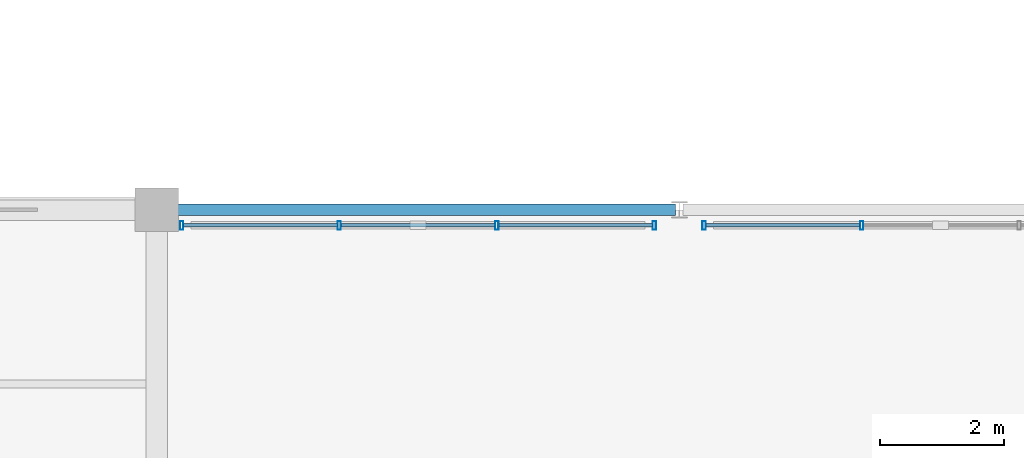
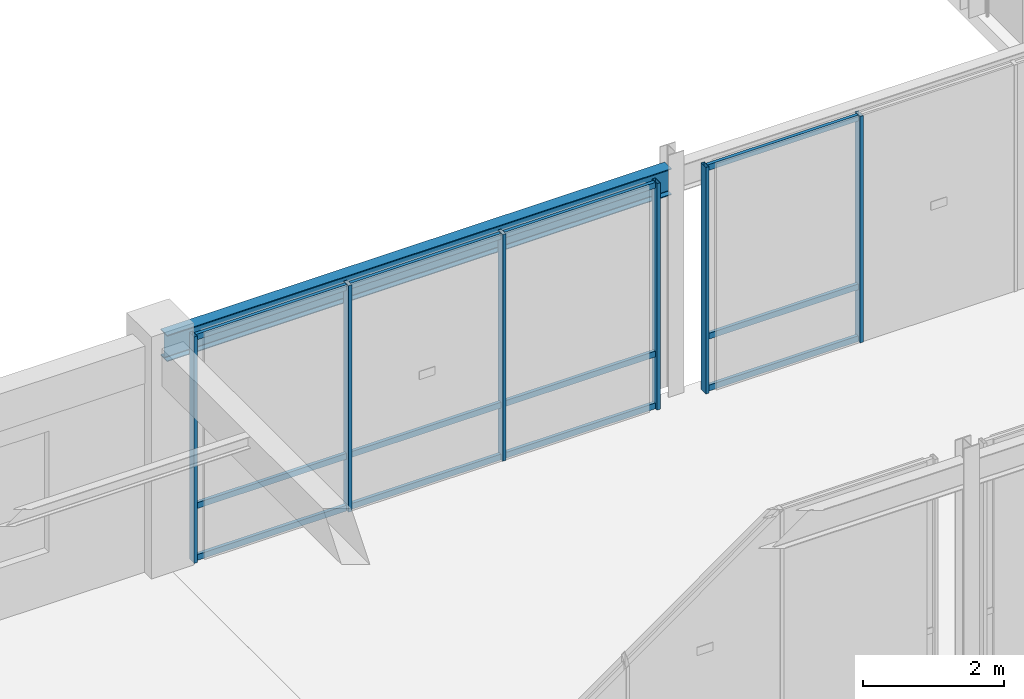
# One storey, part 27 of 152: 18 members, 1 beam, 2 elements without a shape of their own.
"""IFC4 building model written with IfcOpenShell, lengths in metres."""

from ifc_helpers import new_model, si_unit, direction, frame, origin, origin_2d, place, context, subcontext, project, spatial, hollow_rectangle, i_section, extrude, material, material_profile, profile_set, type_object, element, aggregate, save


model = new_model("IFC4")

# Units and contexts
model_context = context("Model", 3, precision=1e-05, world=origin(), true_north=direction((0.0, 1.0)))
body_context = subcontext(model_context, "Body", "Model", "MODEL_VIEW")
ifc_project = project(units=[si_unit("LENGTHUNIT", "METRE"), si_unit("AREAUNIT", "SQUARE_METRE"), si_unit("VOLUMEUNIT", "CUBIC_METRE"), si_unit("PLANEANGLEUNIT", "RADIAN"), si_unit("MASSUNIT", "GRAM", prefix="KILO"), si_unit("THERMODYNAMICTEMPERATUREUNIT", "KELVIN"), si_unit("POWERUNIT", "WATT")], contexts=[model_context])

# Site, building, storey
site_placement = place(None, origin())
site = spatial("IfcSite", under=ifc_project, at=site_placement, CompositionType="ELEMENT")
building_placement = place(site_placement, origin())
building = spatial("IfcBuilding", under=site, at=building_placement, Name="Darbajah Civic Hall", CompositionType="ELEMENT")
storey_placement = place(building_placement, frame((0.0, 0.0, 5.39990234375)))
storey = spatial("IfcBuildingStorey", under=building, at=storey_placement, Name="L01", CompositionType="ELEMENT", Elevation=5.39990234375)

# Curtain wall, members
ifc_material_1 = material(Name="Anodised Bronze Aluminium and Low-E Glazing", Category="aluminium")
curtain_wall_type = type_object("IfcCurtainWallType", Name="Unitised Curtain Wall CW-103 7600x3950", PredefinedType="USERDEFINED", material=ifc_material_1)
curtain_wall_1_placement = place(storey_placement, origin())
curtain_wall_1 = element("IfcCurtainWall", 1, at=curtain_wall_1_placement, inside=storey, type_object=curtain_wall_type, Name="L01 unitised curtain wall CW-V6-SW-N-L01", ObjectType="UNITISED CURTAIN WALL", PredefinedType="USERDEFINED")
ifc_material_2 = material(Name="Anodised Bronze Aluminium", Category="aluminium")
ifc_material_profile_1 = material_profile(ifc_material_2, hollow_rectangle(XDim=0.054931640625, YDim=0.139892578125, WallThickness=0.003173828125, at=origin_2d()), Name="ALU MULLION 55x140")
ifc_profile_set_1 = profile_set([ifc_material_profile_1], Name="Anodised Bronze Aluminium")
member_type_1 = type_object("IfcMemberType", Name="ALU MULLION 55x140", PredefinedType="MULLION", material=ifc_profile_set_1)
member_1_placement = place(storey_placement, frame((67.60009765625, 41.75, 0.0), z_axis=(0.0, 0.0, 1.0), x_axis=(1.0, 0.0, 0.0)))
member_1 = element("IfcMember", 2, at=member_1_placement, type_object=member_type_1, Name="CW-V6-SW-N-L01 mullion 1", PredefinedType="MULLION", context=body_context, shape_type="SweptSolid", body=[
    extrude(hollow_rectangle(XDim=0.054931640625, YDim=0.139892578125, WallThickness=0.003173828125, at=origin_2d()), origin(), (0.0, 0.0, 1.0), 3.93017578125),
])
member_2_placement = place(storey_placement, frame((70.13330078125, 41.75, 0.0), z_axis=(0.0, 0.0, 1.0), x_axis=(1.0, 0.0, 0.0)))
member_2 = element("IfcMember", 3, at=member_2_placement, type_object=member_type_1, Name="CW-V6-SW-N-L01 mullion 2", PredefinedType="MULLION", context=body_context, shape_type="SweptSolid", body=[
    extrude(hollow_rectangle(XDim=0.054931640625, YDim=0.139892578125, WallThickness=0.003173828125, at=origin_2d()), origin(), (0.0, 0.0, 1.0), 3.93017578125),
])
member_3_placement = place(storey_placement, frame((72.666748046875, 41.75, 0.0), z_axis=(0.0, 0.0, 1.0), x_axis=(1.0, 0.0, 0.0)))
member_3 = element("IfcMember", 4, at=member_3_placement, type_object=member_type_1, Name="CW-V6-SW-N-L01 mullion 3", PredefinedType="MULLION", context=body_context, shape_type="SweptSolid", body=[
    extrude(hollow_rectangle(XDim=0.054931640625, YDim=0.139892578125, WallThickness=0.003173828125, at=origin_2d()), origin(), (0.0, 0.0, 1.0), 3.93017578125),
])
member_4_placement = place(storey_placement, frame((75.199951171875, 41.75, 0.0), z_axis=(0.0, 0.0, 1.0), x_axis=(1.0, 0.0, 0.0)))
member_4 = element("IfcMember", 5, at=member_4_placement, type_object=member_type_1, Name="CW-V6-SW-N-L01 mullion 4", PredefinedType="MULLION", context=body_context, shape_type="SweptSolid", body=[
    extrude(hollow_rectangle(XDim=0.054931640625, YDim=0.139892578125, WallThickness=0.003173828125, at=origin_2d()), origin(), (0.0, 0.0, 1.0), 3.93017578125),
])

curtain_wall_2_placement = place(storey_placement, origin())
curtain_wall_2 = element("IfcCurtainWall", 6, at=curtain_wall_2_placement, inside=storey, type_object=curtain_wall_type, Name="L01 unitised curtain wall CW-V6-SW-N2-L01", ObjectType="UNITISED CURTAIN WALL", PredefinedType="USERDEFINED")
member_5_placement = place(storey_placement, frame((76.0, 41.75, 0.0), z_axis=(0.0, 0.0, 1.0), x_axis=(1.0, 0.0, 0.0)))
member_5 = element("IfcMember", 7, at=member_5_placement, type_object=member_type_1, Name="CW-V6-SW-N2-L01 mullion 1", PredefinedType="MULLION", context=body_context, shape_type="SweptSolid", body=[
    extrude(hollow_rectangle(XDim=0.054931640625, YDim=0.139892578125, WallThickness=0.003173828125, at=origin_2d()), origin(), (0.0, 0.0, 1.0), 3.93017578125),
])
member_6_placement = place(storey_placement, frame((78.533203125, 41.75, 0.0), z_axis=(0.0, 0.0, 1.0), x_axis=(1.0, 0.0, 0.0)))
member_6 = element("IfcMember", 8, at=member_6_placement, type_object=member_type_1, Name="CW-V6-SW-N2-L01 mullion 2", PredefinedType="MULLION", context=body_context, shape_type="SweptSolid", body=[
    extrude(hollow_rectangle(XDim=0.054931640625, YDim=0.139892578125, WallThickness=0.003173828125, at=origin_2d()), origin(), (0.0, 0.0, 1.0), 3.93017578125),
])

# Member
ifc_material_profile_2 = material_profile(ifc_material_2, hollow_rectangle(XDim=0.054931640625, YDim=0.10009765625, WallThickness=0.0029296875, at=origin_2d()), Name="ALU TRANSOM 55x100")
ifc_profile_set_2 = profile_set([ifc_material_profile_2], Name="Anodised Bronze Aluminium")
member_type_2 = type_object("IfcMemberType", Name="ALU TRANSOM 55x100", PredefinedType="USERDEFINED", material=ifc_profile_set_2)
member_7_placement = place(storey_placement, frame((67.632568359375, 41.75, 0.050048828125), z_axis=(1.0, 0.0, 0.0), x_axis=(0.0, 1.0, 0.0)))
member_7 = element("IfcMember", 9, at=member_7_placement, type_object=member_type_2, Name="CW-V6-SW-N-L01 transom 1.1", ObjectType="TRANSOM", PredefinedType="USERDEFINED", context=body_context, shape_type="SweptSolid", body=[
    extrude(hollow_rectangle(XDim=0.054931640625, YDim=0.10009765625, WallThickness=0.0029296875, at=origin_2d()), origin(), (0.0, 0.0, 1.0), 2.46826171875),
])

member_8_placement = place(storey_placement, frame((67.632568359375, 41.75, 0.9501953125), z_axis=(1.0, 0.0, 0.0), x_axis=(0.0, 1.0, 0.0)))
member_8 = element("IfcMember", 10, at=member_8_placement, type_object=member_type_2, Name="CW-V6-SW-N-L01 transom 1.2", ObjectType="TRANSOM", PredefinedType="USERDEFINED", context=body_context, shape_type="SweptSolid", body=[
    extrude(hollow_rectangle(XDim=0.054931640625, YDim=0.10009765625, WallThickness=0.0029296875, at=origin_2d()), origin(), (0.0, 0.0, 1.0), 2.46826171875),
])

member_9_placement = place(storey_placement, frame((67.632568359375, 41.75, 3.880126953125), z_axis=(1.0, 0.0, 0.0), x_axis=(0.0, 1.0, 0.0)))
member_9 = element("IfcMember", 11, at=member_9_placement, type_object=member_type_2, Name="CW-V6-SW-N-L01 transom 1.3", ObjectType="TRANSOM", PredefinedType="USERDEFINED", context=body_context, shape_type="SweptSolid", body=[
    extrude(hollow_rectangle(XDim=0.054931640625, YDim=0.10009765625, WallThickness=0.0029296875, at=origin_2d()), origin(), (0.0, 0.0, 1.0), 2.46826171875),
])

member_10_placement = place(storey_placement, frame((70.165771484375, 41.75, 0.050048828125), z_axis=(1.0, 0.0, 0.0), x_axis=(0.0, 1.0, 0.0)))
member_10 = element("IfcMember", 12, at=member_10_placement, type_object=member_type_2, Name="CW-V6-SW-N-L01 transom 2.1", ObjectType="TRANSOM", PredefinedType="USERDEFINED", context=body_context, shape_type="SweptSolid", body=[
    extrude(hollow_rectangle(XDim=0.054931640625, YDim=0.10009765625, WallThickness=0.0029296875, at=origin_2d()), origin(), (0.0, 0.0, 1.0), 2.468505859375),
])

member_11_placement = place(storey_placement, frame((70.165771484375, 41.75, 0.9501953125), z_axis=(1.0, 0.0, 0.0), x_axis=(0.0, 1.0, 0.0)))
member_11 = element("IfcMember", 13, at=member_11_placement, type_object=member_type_2, Name="CW-V6-SW-N-L01 transom 2.2", ObjectType="TRANSOM", PredefinedType="USERDEFINED", context=body_context, shape_type="SweptSolid", body=[
    extrude(hollow_rectangle(XDim=0.054931640625, YDim=0.10009765625, WallThickness=0.0029296875, at=origin_2d()), origin(), (0.0, 0.0, 1.0), 2.468505859375),
])

member_12_placement = place(storey_placement, frame((70.165771484375, 41.75, 3.880126953125), z_axis=(1.0, 0.0, 0.0), x_axis=(0.0, 1.0, 0.0)))
member_12 = element("IfcMember", 14, at=member_12_placement, type_object=member_type_2, Name="CW-V6-SW-N-L01 transom 2.3", ObjectType="TRANSOM", PredefinedType="USERDEFINED", context=body_context, shape_type="SweptSolid", body=[
    extrude(hollow_rectangle(XDim=0.054931640625, YDim=0.10009765625, WallThickness=0.0029296875, at=origin_2d()), origin(), (0.0, 0.0, 1.0), 2.468505859375),
])

member_13_placement = place(storey_placement, frame((72.69921875, 41.75, 0.050048828125), z_axis=(1.0, 0.0, 0.0), x_axis=(0.0, 1.0, 0.0)))
member_13 = element("IfcMember", 15, at=member_13_placement, type_object=member_type_2, Name="CW-V6-SW-N-L01 transom 3.1", ObjectType="TRANSOM", PredefinedType="USERDEFINED", context=body_context, shape_type="SweptSolid", body=[
    extrude(hollow_rectangle(XDim=0.054931640625, YDim=0.10009765625, WallThickness=0.0029296875, at=origin_2d()), origin(), (0.0, 0.0, 1.0), 2.46826171875),
])

member_14_placement = place(storey_placement, frame((72.69921875, 41.75, 0.9501953125), z_axis=(1.0, 0.0, 0.0), x_axis=(0.0, 1.0, 0.0)))
member_14 = element("IfcMember", 16, at=member_14_placement, type_object=member_type_2, Name="CW-V6-SW-N-L01 transom 3.2", ObjectType="TRANSOM", PredefinedType="USERDEFINED", context=body_context, shape_type="SweptSolid", body=[
    extrude(hollow_rectangle(XDim=0.054931640625, YDim=0.10009765625, WallThickness=0.0029296875, at=origin_2d()), origin(), (0.0, 0.0, 1.0), 2.46826171875),
])

member_15_placement = place(storey_placement, frame((72.69921875, 41.75, 3.880126953125), z_axis=(1.0, 0.0, 0.0), x_axis=(0.0, 1.0, 0.0)))
member_15 = element("IfcMember", 17, at=member_15_placement, type_object=member_type_2, Name="CW-V6-SW-N-L01 transom 3.3", ObjectType="TRANSOM", PredefinedType="USERDEFINED", context=body_context, shape_type="SweptSolid", body=[
    extrude(hollow_rectangle(XDim=0.054931640625, YDim=0.10009765625, WallThickness=0.0029296875, at=origin_2d()), origin(), (0.0, 0.0, 1.0), 2.46826171875),
])

aggregate(curtain_wall_1, [member_1, member_2, member_3, member_4, member_7, member_8, member_9, member_10, member_11, member_12, member_13, member_14, member_15])

member_16_placement = place(storey_placement, frame((76.032470703125, 41.75, 0.050048828125), z_axis=(1.0, 0.0, 0.0), x_axis=(0.0, 1.0, 0.0)))
member_16 = element("IfcMember", 18, at=member_16_placement, type_object=member_type_2, Name="CW-V6-SW-N2-L01 transom 1.1", ObjectType="TRANSOM", PredefinedType="USERDEFINED", context=body_context, shape_type="SweptSolid", body=[
    extrude(hollow_rectangle(XDim=0.054931640625, YDim=0.10009765625, WallThickness=0.0029296875, at=origin_2d()), origin(), (0.0, 0.0, 1.0), 2.46826171875),
])

member_17_placement = place(storey_placement, frame((76.032470703125, 41.75, 0.9501953125), z_axis=(1.0, 0.0, 0.0), x_axis=(0.0, 1.0, 0.0)))
member_17 = element("IfcMember", 19, at=member_17_placement, type_object=member_type_2, Name="CW-V6-SW-N2-L01 transom 1.2", ObjectType="TRANSOM", PredefinedType="USERDEFINED", context=body_context, shape_type="SweptSolid", body=[
    extrude(hollow_rectangle(XDim=0.054931640625, YDim=0.10009765625, WallThickness=0.0029296875, at=origin_2d()), origin(), (0.0, 0.0, 1.0), 2.46826171875),
])

member_18_placement = place(storey_placement, frame((76.032470703125, 41.75, 3.880126953125), z_axis=(1.0, 0.0, 0.0), x_axis=(0.0, 1.0, 0.0)))
member_18 = element("IfcMember", 20, at=member_18_placement, type_object=member_type_2, Name="CW-V6-SW-N2-L01 transom 1.3", ObjectType="TRANSOM", PredefinedType="USERDEFINED", context=body_context, shape_type="SweptSolid", body=[
    extrude(hollow_rectangle(XDim=0.054931640625, YDim=0.10009765625, WallThickness=0.0029296875, at=origin_2d()), origin(), (0.0, 0.0, 1.0), 2.46826171875),
])

aggregate(curtain_wall_2, [member_5, member_6, member_16, member_17, member_18])

# Beam
ifc_material_3 = material(Name="Steel S355JR", Category="steel")
ifc_material_profile_3 = material_profile(ifc_material_3, i_section(OverallWidth=0.1904296875, OverallDepth=0.45703125, WebThickness=0.009033203125, FlangeThickness=0.014404296875, FilletRadius=0.01025390625, at=origin_2d()), Name="UB 457x191x74")
ifc_profile_set_3 = profile_set([ifc_material_profile_3], Name="Steel S355JR")
beam_type = type_object("IfcBeamType", Name="UB 457x191x74", PredefinedType="BEAM", material=ifc_profile_set_3)
beam_placement = place(storey_placement, frame((67.260009765625, 42.0, 3.70166015625), z_axis=(1.0, 0.0, 0.0), x_axis=(0.0, 1.0, 0.0)))
element("IfcBeam", 21, at=beam_placement, inside=storey, type_object=beam_type, Name="L01 beam SB-457", PredefinedType="BEAM", context=body_context, shape_type="SweptSolid", body=[
    extrude(i_section(OverallWidth=0.1904296875, OverallDepth=0.45703125, WebThickness=0.009033203125, FlangeThickness=0.014404296875, FilletRadius=0.01025390625, at=origin_2d()), origin(), (0.0, 0.0, 1.0), 8.280029296875),
])

save(model, "model.ifc")
